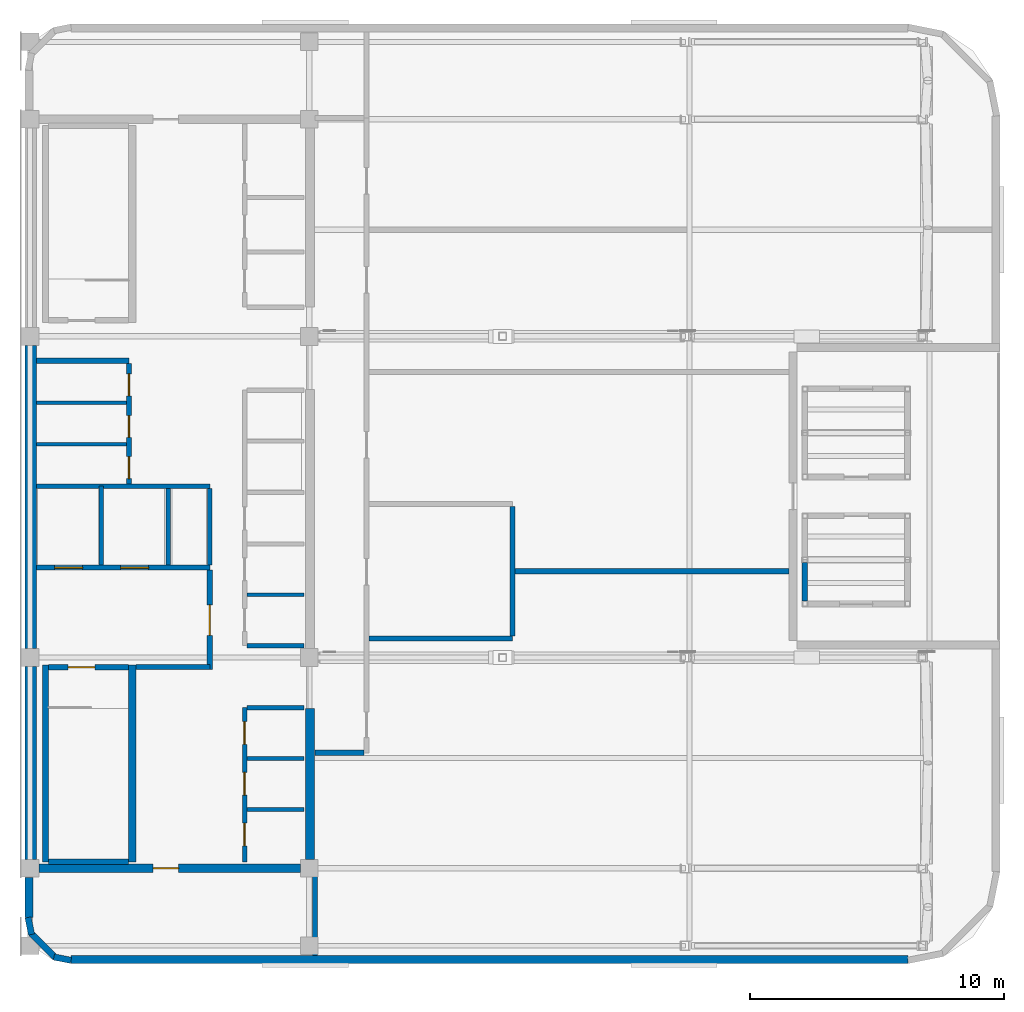
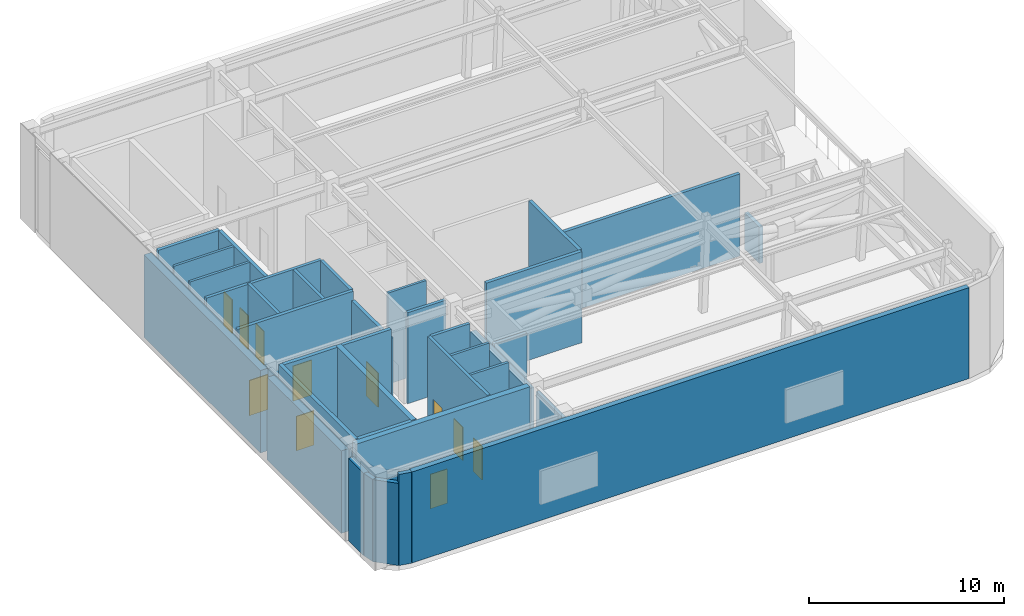
# One storey, part 9 of 12: 36 walls, 11 doors, 11 openings.
"""IFC4 building model written with IfcOpenShell, lengths in metres."""

import ifcopenshell
import ifcopenshell.guid

model = None  # the IFC model being written
_history = None  # IfcOwnerHistory: only IFC2X3 demands one
_inside = {}  # id of a spatial element -> (the spatial element, [elements in it])
_under = {}  # id of a project, library or spatial element -> (it, [spatial elements below it])
_declared = {}  # id of a project -> (the project, [libraries it declares])
_typed = {}  # id of a type object -> (the type object, [elements of that type])
_made_of = {}  # id of a material, layer set ... -> (it, [elements and type objects made of it])


def new_model(schema):
    """Start an empty IFC model of exactly this schema.

    Asked for "IFC4X3", IfcOpenShell would pick the latest addendum, in which some entities
    have other attributes; the version numbers below select the first issue.
    IFC2X3 requires an IfcOwnerHistory on every rooted entity: one is made here for all.
    """
    global model, _history
    if schema == "IFC4X3":
        model = ifcopenshell.file(schema_version=(4, 3, 0, 0))
    else:
        model = ifcopenshell.file(schema=schema)
    _inside.clear()
    _under.clear()
    _declared.clear()
    _typed.clear()
    _made_of.clear()
    _history = None
    if model.schema == "IFC2X3":
        org = make("IfcOrganization", Name="unknown")
        user = make(
            "IfcPersonAndOrganization",
            ThePerson=make("IfcPerson", FamilyName="unknown"),
            TheOrganization=org,
        )
        app = make(
            "IfcApplication",
            ApplicationDeveloper=org,
            Version="unknown",
            ApplicationFullName="unknown",
            ApplicationIdentifier="unknown",
        )
        _history = make(
            "IfcOwnerHistory",
            OwningUser=user,
            OwningApplication=app,
            ChangeAction="ADDED",
            CreationDate=0,
        )
    return model


def make(cls, **values):
    """One entity of the class cls with the attributes given. An attribute that is None is left unset."""
    return model.create_entity(
        cls, **{name: value for name, value in values.items() if value is not None}
    )


def rooted(cls, **values):
    """An entity with a GlobalId (a new one), such as an element, a storey or a relation."""
    return make(cls, GlobalId=ifcopenshell.guid.new(), OwnerHistory=_history, **values)


def si_unit(unit_type, name, prefix=None):
    """IfcSIUnit, for example si_unit("LENGTHUNIT", "METRE", prefix="MILLI")."""
    return make("IfcSIUnit", UnitType=unit_type, Prefix=prefix, Name=name)


def assignment(units):
    """IfcUnitAssignment: the units of a project."""
    return None if units is None else make("IfcUnitAssignment", Units=units)


def point(xyz):
    """IfcCartesianPoint."""
    return None if xyz is None else make("IfcCartesianPoint", Coordinates=xyz)


def direction(xyz):
    """IfcDirection."""
    return None if xyz is None else make("IfcDirection", DirectionRatios=xyz)


def frame(location, z_axis=None, x_axis=None):
    """IfcAxis2Placement3D, a coordinate frame: its origin and axes. An axis left out is left unset."""
    return make(
        "IfcAxis2Placement3D",
        Location=point(location),
        Axis=direction(z_axis),
        RefDirection=direction(x_axis),
    )


def frame_2d(location, x_axis=None):
    """IfcAxis2Placement2D, a coordinate frame in the plane: its origin and x axis."""
    return make(
        "IfcAxis2Placement2D", Location=point(location), RefDirection=direction(x_axis)
    )


def origin():
    """The frame at (0, 0, 0) with its axes left unset."""
    return frame((0.0, 0.0, 0.0))


def place(relative_to, where):
    """IfcLocalPlacement: puts the frame where relative to a parent placement (None: the world)."""
    return make(
        "IfcLocalPlacement", PlacementRelTo=relative_to, RelativePlacement=where
    )


def context(
    kind, dimensions, precision=None, world=None, true_north=None, identifier=None
):
    """IfcGeometricRepresentationContext, for example the 3D "Model" context."""
    return make(
        "IfcGeometricRepresentationContext",
        ContextIdentifier=identifier,
        ContextType=kind,
        CoordinateSpaceDimension=dimensions,
        Precision=precision,
        WorldCoordinateSystem=world,
        TrueNorth=true_north,
    )


def subcontext(parent, identifier, kind, view, scale=None):
    """IfcGeometricRepresentationSubContext, for example "Body" below "Model"."""
    return make(
        "IfcGeometricRepresentationSubContext",
        ContextIdentifier=identifier,
        ContextType=kind,
        ParentContext=parent,
        TargetScale=scale,
        TargetView=view,
    )


def project(units=None, contexts=None):
    """IfcProject with its units and contexts."""
    return rooted(
        "IfcProject",
        Name="project",
        RepresentationContexts=contexts,
        UnitsInContext=assignment(units),
    )


def spatial(cls, under=None, at=None, **own):
    """A site, building, storey or space (cls), placed at a placement, below another one or the project."""
    s = rooted(cls, ObjectPlacement=at, **own)
    if under is not None:
        _under.setdefault(under.id(), (under, []))[1].append(s)
    return s


def profile(cls, at=None, kind="AREA", **sizes):
    """A parametric profile (cls). Its sizes go by their IFC names, for example OverallWidth=200.0."""
    return make(cls, ProfileType=kind, Position=at, **sizes)


def rectangle(**sizes):
    """IfcRectangleProfileDef."""
    return profile("IfcRectangleProfileDef", **sizes)


def extrude(swept, where, along, depth):
    """IfcExtrudedAreaSolid: the profile swept, set in the frame where, extruded along a direction by depth."""
    return make(
        "IfcExtrudedAreaSolid",
        SweptArea=swept,
        Position=where,
        ExtrudedDirection=direction(along),
        Depth=depth,
    )


def shape(context_of_items, identifier, shape_type, items):
    """IfcShapeRepresentation: the items that make up one representation, for example the "Body"."""
    return make(
        "IfcShapeRepresentation",
        ContextOfItems=context_of_items,
        RepresentationIdentifier=identifier,
        RepresentationType=shape_type,
        Items=items,
    )


def material(Name=None, Category=None):
    """IfcMaterial."""
    return make("IfcMaterial", Name=Name, Category=Category)


def layer(
    of_material, thickness, ventilated=None, Name=None, Category=None, Priority=None
):
    """IfcMaterialLayer: one layer of a wall or slab, of a material (None: an air gap)."""
    return make(
        "IfcMaterialLayer",
        Material=of_material,
        LayerThickness=thickness,
        IsVentilated=ventilated,
        Name=Name,
        Category=Category,
        Priority=Priority,
    )


def layer_set(layers, Name=None):
    """IfcMaterialLayerSet."""
    return make("IfcMaterialLayerSet", MaterialLayers=layers, LayerSetName=Name)


def made_of(thing, what):
    """Note that an element or type object is made of a material, layer set ...; save() writes the relation."""
    if what is not None:
        _made_of.setdefault(what.id(), (what, []))[1].append(thing)
    return thing


def type_object(cls, material=None, **own):
    """A type object (cls), such as IfcWallType, which elements share."""
    return made_of(rooted(cls, **own), material)


def element(
    cls,
    number,
    at=None,
    inside=None,
    cuts=None,
    type_object=None,
    material=None,
    context=None,
    identifier="Body",
    shape_type=None,
    held_by="IfcProductDefinitionShape",
    body=None,
    shapes=None,
    **own,
):
    """One element of the class cls, such as IfcWall. Its Tag is "e" and its number.

    at: its placement. inside: the storey or other place that contains it. cuts: it is an
    opening in that element (IfcRelVoidsElement). A single representation is given by context,
    identifier, shape_type and body (its items); several are given by shapes. held_by: the class
    of the entity that holds the representations. save() writes the other relations.
    """
    e = rooted(cls, Tag="e%d" % number, ObjectPlacement=at, **own)
    if body is not None:
        shapes = [shape(context, identifier, shape_type, body)]
    if shapes is not None:
        e.Representation = make(held_by, Representations=shapes)
    if inside is not None:
        _inside.setdefault(inside.id(), (inside, []))[1].append(e)
    if cuts is not None:
        rooted(
            "IfcRelVoidsElement", RelatingBuildingElement=cuts, RelatedOpeningElement=e
        )
    if type_object is not None:
        _typed.setdefault(type_object.id(), (type_object, []))[1].append(e)
    return made_of(e, material)


def fill(opening, filler):
    """IfcRelFillsElement: the door or window that sits in an opening."""
    return rooted(
        "IfcRelFillsElement",
        RelatingOpeningElement=opening,
        RelatedBuildingElement=filler,
    )


def aggregate(whole, parts):
    """IfcRelAggregates: a whole, such as a stair, and the parts it consists of."""
    return rooted("IfcRelAggregates", RelatingObject=whole, RelatedObjects=parts)


def save(model, path):
    """Write the relations noted so far, then the file.

    IfcRelAggregates (storeys below a building ...), IfcRelContainedInSpatialStructure (elements
    in a storey), IfcRelDefinesByType, IfcRelAssociatesMaterial and IfcRelDeclares: one each for
    every whole, place, type object, material and project.
    """
    for whole, parts in _under.values():
        aggregate(whole, parts)
    for where, things in _inside.values():
        rooted(
            "IfcRelContainedInSpatialStructure",
            RelatedElements=things,
            RelatingStructure=where,
        )
    for kind, things in _typed.values():
        rooted("IfcRelDefinesByType", RelatedObjects=things, RelatingType=kind)
    for what, things in _made_of.values():
        rooted("IfcRelAssociatesMaterial", RelatedObjects=things, RelatingMaterial=what)
    for by, libraries in _declared.values():
        rooted("IfcRelDeclares", RelatingContext=by, RelatedDefinitions=libraries)
    model.write(path)


model = new_model("IFC4")

# Units and contexts
model_context = context("Model", 3, precision=1e-05, world=origin(), true_north=direction((0.0, 1.0)))
body_context = subcontext(model_context, "Body", "Model", "MODEL_VIEW")
ifc_project = project(units=[si_unit("LENGTHUNIT", "METRE"), si_unit("AREAUNIT", "SQUARE_METRE"), si_unit("VOLUMEUNIT", "CUBIC_METRE"), si_unit("PLANEANGLEUNIT", "RADIAN"), si_unit("MASSUNIT", "GRAM", prefix="KILO")], contexts=[model_context])

# Site, building, storey
site_placement = place(None, origin())
site = spatial("IfcSite", under=ifc_project, at=site_placement, CompositionType="ELEMENT")
building_placement = place(site_placement, origin())
building = spatial("IfcBuilding", under=site, at=building_placement, Name="Ochreholt Gables", CompositionType="ELEMENT")
storey_placement = place(building_placement, frame((0.0, 0.0, 287.0)))
storey = spatial("IfcBuildingStorey", under=building, at=storey_placement, Name="L75", CompositionType="ELEMENT", Elevation=287.0)

# Wall
ifc_material_1 = material(Name="Concrete 50 MPa", Category="concrete")
ifc_layer_1 = layer(ifc_material_1, 0.35009765625, Name="Concrete 50 MPa")
ifc_layer_set_1 = layer_set([ifc_layer_1], Name="Concrete 50 MPa")
wall_type_1 = type_object("IfcWallType", Name="WALL-CSW-350", PredefinedType="SHEAR", material=ifc_layer_set_1)
wall_1_placement = place(storey_placement, frame((35.22509765625, 9.60009765625, 0.0), z_axis=(0.0, 0.0, 1.0), x_axis=(0.0, 1.0, 0.0)))
element("IfcWall", 1, at=wall_1_placement, inside=storey, type_object=wall_type_1, Name="L75 Core South-East Shear Wall", PredefinedType="SHEAR", context=body_context, shape_type="SweptSolid", body=[
    extrude(rectangle(XDim=5.949951171875, YDim=0.35009765625, at=frame_2d((2.97509765625, 0.0))), origin(), (0.0, 0.0, 1.0), 5.160888671875),
])

# Wall, opening, door
wall_2_placement = place(storey_placement, frame((24.550048828125, 9.25, 0.0), z_axis=(0.0, 0.0, 1.0), x_axis=(1.0, 0.0, 0.0)))
wall_2 = element("IfcWall", 2, at=wall_2_placement, inside=storey, type_object=wall_type_1, Name="L75 Core South Shear Wall", PredefinedType="SHEAR", context=body_context, shape_type="SweptSolid", body=[
    extrude(rectangle(XDim=10.300048828125, YDim=0.35009765625, at=frame_2d((5.14990234375, 0.0))), origin(), (0.0, 0.0, 1.0), 5.699951171875),
])
opening_1_placement = place(wall_2_placement, frame((4.5, 0.0, 0.0)))
opening_1 = element("IfcOpeningElement", 3, at=opening_1_placement, cuts=wall_2, Name="Opening D-SV3", PredefinedType="OPENING", context=body_context, shape_type="SweptSolid", body=[
    extrude(rectangle(XDim=1.0, YDim=2.14990234375, at=frame_2d((0.5, 1.074951171875))), frame((0.0, 0.18505859375, 0.0), z_axis=(0.0, -1.0, 0.0), x_axis=(1.0, 0.0, 0.0)), (0.0, 0.0, 1.0), 0.3701171875),
])
ifc_material_2 = material(Name="Hollow Metal Steel", Category="steel")
door_type_1 = type_object("IfcDoorType", Name="DR-INT-SRV1000", OperationType="NOTDEFINED", PredefinedType="DOOR", material=ifc_material_2)
door_1_placement = place(opening_1_placement, frame((1.0, 0.0, 0.0), z_axis=(0.0, 0.0, 1.0), x_axis=(-1.0, 0.0, 0.0)))
door_1 = element("IfcDoor", 4, at=door_1_placement, inside=storey, type_object=door_type_1, Name="L75 Door D-PLCS-L75", OperationType="SINGLE_SWING_LEFT", OverallHeight=2.14990234375, OverallWidth=1.0, PredefinedType="DOOR", context=body_context, shape_type="SweptSolid", body=[
    extrude(rectangle(XDim=1.0, YDim=2.14990234375, at=frame_2d((0.5, 1.074951171875))), frame((0.0, 0.02490234375, 0.0), z_axis=(0.0, -1.0, 0.0), x_axis=(1.0, 0.0, 0.0)), (0.0, 0.0, 1.0), 0.050048828125),
])
fill(opening_1, door_1)

# Walls
ifc_layer_2 = layer(ifc_material_1, 0.449951171875, Name="Concrete 50 MPa")
ifc_layer_set_2 = layer_set([ifc_layer_2], Name="Concrete 50 MPa")
wall_type_2 = type_object("IfcWallType", Name="WALL-CSW-EXT", PredefinedType="SHEAR", material=ifc_layer_set_2)
wall_3_placement = place(storey_placement, frame((24.22509765625, 9.60009765625, 0.0), z_axis=(0.0, 0.0, 1.0), x_axis=(0.0, 1.0, 0.0)))
element("IfcWall", 5, at=wall_3_placement, inside=storey, type_object=wall_type_2, Name="L75 Core West Shear Wall WS", PredefinedType="SHEAR", context=body_context, shape_type="SweptSolid", body=[
    extrude(rectangle(XDim=7.599853515625, YDim=0.449951171875, at=frame_2d((3.7998046875, 0.0))), origin(), (0.0, 0.0, 1.0), 5.160888671875),
])
wall_4_placement = place(storey_placement, frame((24.22509765625, 17.89990234375, 0.0), z_axis=(0.0, 0.0, 1.0), x_axis=(0.0, 1.0, 0.0)))
element("IfcWall", 6, at=wall_4_placement, inside=storey, type_object=wall_type_2, Name="L75 Core West Shear Wall WM", PredefinedType="SHEAR", context=body_context, shape_type="SweptSolid", body=[
    extrude(rectangle(XDim=11.9501953125, YDim=0.449951171875, at=frame_2d((5.97509765625, 0.0))), origin(), (0.0, 0.0, 1.0), 5.160888671875),
])
ifc_material_3 = material(Name="Precast concrete 40 MPa", Category="concrete")
ifc_layer_3 = layer(ifc_material_3, 0.25, Name="Precast concrete 40 MPa")
ifc_layer_set_3 = layer_set([ifc_layer_3], Name="Precast concrete 40 MPa")
wall_type_3 = type_object("IfcWallType", Name="WALL-EXT-CNR", PredefinedType="SOLIDWALL", material=ifc_layer_set_3)
wall_5_placement = place(storey_placement, frame((24.124267578125, 7.31640625, 0.0), z_axis=(0.0, 0.0, 1.0), x_axis=(0.194952956674, -0.980812594069, 0.0)))
element("IfcWall", 7, at=wall_5_placement, inside=storey, type_object=wall_type_3, Name="L75 Rounded Corner Wall SW-1", PredefinedType="SOLIDWALL", context=body_context, shape_type="SweptSolid", body=[
    extrude(rectangle(XDim=0.686279296875, YDim=0.25, at=frame_2d((0.34326171875, 0.0))), origin(), (0.0, 0.0, 1.0), 5.14306640625),
])
wall_6_placement = place(storey_placement, frame((24.23095703125, 6.69384765625, 0.0), z_axis=(0.0, 0.0, 1.0), x_axis=(0.707106781187, -0.707106781187, 0.0)))
element("IfcWall", 8, at=wall_6_placement, inside=storey, type_object=wall_type_3, Name="L75 Rounded Corner Wall SW-2", PredefinedType="SOLIDWALL", context=body_context, shape_type="SweptSolid", body=[
    extrude(rectangle(XDim=1.36181640625, YDim=0.25, at=frame_2d((0.680908203125, 0.0))), origin(), (0.0, 0.0, 1.0), 5.14306640625),
])
wall_7_placement = place(storey_placement, frame((25.143310546875, 5.758056640625, 0.0), z_axis=(0.0, 0.0, 1.0), x_axis=(0.980812594069, -0.194952956674, 0.0)))
element("IfcWall", 9, at=wall_7_placement, inside=storey, type_object=wall_type_3, Name="L75 Rounded Corner Wall SW-3", PredefinedType="SOLIDWALL", context=body_context, shape_type="SweptSolid", body=[
    extrude(rectangle(XDim=0.686279296875, YDim=0.25, at=frame_2d((0.34326171875, 0.0))), origin(), (0.0, 0.0, 1.0), 5.699951171875),
])
ifc_layer_4 = layer(ifc_material_3, 0.22998046875, Name="Precast concrete 40 MPa")
ifc_layer_set_4 = layer_set([ifc_layer_4], Name="Precast concrete 40 MPa")
wall_type_4 = type_object("IfcWallType", Name="WALL-EXT-GAB", PredefinedType="SOLIDWALL", material=ifc_layer_set_4)
wall_8_placement = place(storey_placement, frame((54.715087890625, 19.77197265625, 0.0), z_axis=(0.0, 0.0, 1.0), x_axis=(0.0, 1.0, 0.0)))
element("IfcWall", 10, at=wall_8_placement, inside=storey, type_object=wall_type_4, Name="L75 Gable End Wall GB-75C1-W1", PredefinedType="SOLIDWALL", context=body_context, shape_type="SweptSolid", body=[
    extrude(rectangle(XDim=1.526123046875, YDim=0.22998046875, at=frame_2d((0.76318359375, 0.0))), origin(), (0.0, 0.0, 1.0), 2.264404296875),
])
ifc_material_4 = material(Name="Precast concrete 50 MPa", Category="concrete")
ifc_layer_5 = layer(ifc_material_4, 0.31005859375, Name="Precast concrete 50 MPa")
ifc_layer_set_5 = layer_set([ifc_layer_5], Name="Precast concrete 50 MPa")
wall_type_5 = type_object("IfcWallType", Name="WALL-EXT-PLT", PredefinedType="SOLIDWALL", material=ifc_layer_set_5)
wall_9_placement = place(storey_placement, frame((25.820068359375, 5.655029296875, 0.0), z_axis=(0.0, 0.0, 1.0), x_axis=(1.0, 0.0, 0.0)))
element("IfcWall", 11, at=wall_9_placement, inside=storey, type_object=wall_type_5, Name="L75 South Plant Facade Wall", PredefinedType="SOLIDWALL", context=body_context, shape_type="SweptSolid", body=[
    extrude(rectangle(XDim=32.9599609375, YDim=0.31005859375, at=frame_2d((16.47998046875, 0.0))), origin(), (0.0, 0.0, 1.0), 5.699951171875),
])
wall_10_placement = place(storey_placement, frame((24.155029296875, 7.320068359375, 0.0), z_axis=(0.0, 0.0, 1.0), x_axis=(0.0, 1.0, 0.0)))
element("IfcWall", 12, at=wall_10_placement, inside=storey, type_object=wall_type_5, Name="L75 West Facade South Bay Wall", PredefinedType="SOLIDWALL", context=body_context, shape_type="SweptSolid", body=[
    extrude(rectangle(XDim=1.559814453125, YDim=0.31005859375, at=frame_2d((0.77978515625, 0.0))), origin(), (0.0, 0.0, 1.0), 5.14306640625),
])

# Wall, openings, doors
ifc_material_5 = material(Name="Concrete 40 MPa", Category="concrete")
ifc_layer_6 = layer(ifc_material_5, 0.199951171875, Name="Concrete 40 MPa")
ifc_layer_set_6 = layer_set([ifc_layer_6], Name="Concrete 40 MPa")
wall_type_6 = type_object("IfcWallType", Name="WALL-INT-CF200", PredefinedType="STANDARD", material=ifc_layer_set_6)
wall_11_placement = place(storey_placement, frame((24.449951171875, 21.090087890625, 0.0), z_axis=(0.0, 0.0, 1.0), x_axis=(1.0, 0.0, 0.0)))
wall_11 = element("IfcWall", 13, at=wall_11_placement, inside=storey, type_object=wall_type_6, Name="L75 Interior Wall WI-FFN-L75", PredefinedType="STANDARD", context=body_context, shape_type="SweptSolid", body=[
    extrude(rectangle(XDim=6.830078125, YDim=0.199951171875, at=frame_2d((3.4150390625, 0.0))), origin(), (0.0, 0.0, 1.0), 5.699951171875),
])
opening_2_placement = place(wall_11_placement, frame((0.719970703125, 0.0, 0.0)))
opening_2 = element("IfcOpeningElement", 14, at=opening_2_placement, cuts=wall_11, Name="Opening LD-FF", PredefinedType="OPENING", context=body_context, shape_type="SweptSolid", body=[
    extrude(rectangle(XDim=1.10009765625, YDim=2.199951171875, at=frame_2d((0.550048828125, 1.10009765625))), frame((0.0, 0.10986328125, 0.0), z_axis=(0.0, -1.0, 0.0), x_axis=(1.0, 0.0, 0.0)), (0.0, 0.0, 1.0), 0.219970703125),
])
opening_3_placement = place(wall_11_placement, frame((3.320068359375, 0.0, 0.0)))
opening_3 = element("IfcOpeningElement", 15, at=opening_3_placement, cuts=wall_11, Name="Opening LD-FF", PredefinedType="OPENING", context=body_context, shape_type="SweptSolid", body=[
    extrude(rectangle(XDim=1.10009765625, YDim=2.199951171875, at=frame_2d((0.550048828125, 1.10009765625))), frame((0.0, 0.10986328125, 0.0), z_axis=(0.0, -1.0, 0.0), x_axis=(1.0, 0.0, 0.0)), (0.0, 0.0, 1.0), 0.219970703125),
])
ifc_material_6 = material(Name="Stainless Steel", Category="steel")
door_type_2 = type_object("IfcDoorType", Name="DR-LFT-FF1100", OperationType="NOTDEFINED", PredefinedType="DOOR", material=ifc_material_6)
door_2_placement = place(opening_2_placement, origin())
door_2 = element("IfcDoor", 16, at=door_2_placement, inside=storey, type_object=door_type_2, Name="L75 Door LD-FF1-L75", OperationType="SLIDING_TO_LEFT", OverallHeight=2.199951171875, OverallWidth=1.10009765625, PredefinedType="DOOR", context=body_context, shape_type="SweptSolid", body=[
    extrude(rectangle(XDim=1.10009765625, YDim=2.199951171875, at=frame_2d((0.550048828125, 1.10009765625))), frame((0.0, 0.02490234375, 0.0), z_axis=(0.0, -1.0, 0.0), x_axis=(1.0, 0.0, 0.0)), (0.0, 0.0, 1.0), 0.050048828125),
])
fill(opening_2, door_2)
door_3_placement = place(opening_3_placement, origin())
door_3 = element("IfcDoor", 17, at=door_3_placement, inside=storey, type_object=door_type_2, Name="L75 Door LD-FF2-L75", OperationType="SLIDING_TO_LEFT", OverallHeight=2.199951171875, OverallWidth=1.10009765625, PredefinedType="DOOR", context=body_context, shape_type="SweptSolid", body=[
    extrude(rectangle(XDim=1.10009765625, YDim=2.199951171875, at=frame_2d((0.550048828125, 1.10009765625))), frame((0.0, 0.02490234375, 0.0), z_axis=(0.0, -1.0, 0.0), x_axis=(1.0, 0.0, 0.0)), (0.0, 0.0, 1.0), 0.050048828125),
])
fill(opening_3, door_3)

# Wall
wall_12_placement = place(storey_placement, frame((28.3798828125, 17.169921875, 0.0), z_axis=(0.0, 0.0, 1.0), x_axis=(1.0, 0.0, 0.0)))
element("IfcWall", 18, at=wall_12_placement, inside=storey, type_object=wall_type_6, Name="L75 Interior Wall WI-FFS-L75", PredefinedType="STANDARD", context=body_context, shape_type="SweptSolid", body=[
    extrude(rectangle(XDim=2.900146484375, YDim=0.199951171875, at=frame_2d((1.4501953125, 0.0))), origin(), (0.0, 0.0, 1.0), 5.699951171875),
])

# Wall, opening, door
wall_13_placement = place(storey_placement, frame((31.280029296875, 17.070068359375, 0.0), z_axis=(0.0, 0.0, 1.0), x_axis=(0.0, 1.0, 0.0)))
wall_13 = element("IfcWall", 19, at=wall_13_placement, inside=storey, type_object=wall_type_6, Name="L75 Interior Wall WI-FFE-L75", PredefinedType="STANDARD", context=body_context, shape_type="SweptSolid", body=[
    extrude(rectangle(XDim=3.919921875, YDim=0.199951171875, at=frame_2d((1.9599609375, 0.0))), origin(), (0.0, 0.0, 1.0), 5.14306640625),
])
opening_4_placement = place(wall_13_placement, frame((1.35009765625, 0.0, 0.0)))
opening_4 = element("IfcOpeningElement", 20, at=opening_4_placement, cuts=wall_13, Name="Opening D-FFL", PredefinedType="OPENING", context=body_context, shape_type="SweptSolid", body=[
    extrude(rectangle(XDim=1.199951171875, YDim=2.14990234375, at=frame_2d((0.60009765625, 1.074951171875))), frame((0.0, 0.10986328125, 0.0), z_axis=(0.0, -1.0, 0.0), x_axis=(1.0, 0.0, 0.0)), (0.0, 0.0, 1.0), 0.219970703125),
])
door_type_3 = type_object("IfcDoorType", Name="DR-INT-FFL1200", OperationType="NOTDEFINED", PredefinedType="DOOR", material=ifc_material_2)
door_4_placement = place(opening_4_placement, origin())
door_4 = element("IfcDoor", 21, at=door_4_placement, inside=storey, type_object=door_type_3, Name="L75 Door D-FFL-L75", OperationType="SINGLE_SWING_LEFT", OverallHeight=2.14990234375, OverallWidth=1.199951171875, PredefinedType="DOOR", context=body_context, shape_type="SweptSolid", body=[
    extrude(rectangle(XDim=1.199951171875, YDim=2.14990234375, at=frame_2d((0.60009765625, 1.074951171875))), frame((0.0, 0.02490234375, 0.0), z_axis=(0.0, -1.0, 0.0), x_axis=(1.0, 0.0, 0.0)), (0.0, 0.0, 1.0), 0.050048828125),
])
fill(opening_4, door_4)

# Wall
wall_14_placement = place(storey_placement, frame((24.449951171875, 29.239990234375, 0.0), z_axis=(0.0, 0.0, 1.0), x_axis=(1.0, 0.0, 0.0)))
element("IfcWall", 22, at=wall_14_placement, inside=storey, type_object=wall_type_6, Name="L75 Interior Wall WI-SRVN-L75", PredefinedType="STANDARD", context=body_context, shape_type="SweptSolid", body=[
    extrude(rectangle(XDim=3.650146484375, YDim=0.199951171875, at=frame_2d((1.8251953125, 0.0))), origin(), (0.0, 0.0, 1.0), 5.699951171875),
])

# Wall, openings, doors
wall_15_placement = place(storey_placement, frame((28.10009765625, 24.389892578125, 0.0), z_axis=(0.0, 0.0, 1.0), x_axis=(0.0, 1.0, 0.0)))
wall_15 = element("IfcWall", 23, at=wall_15_placement, inside=storey, type_object=wall_type_6, Name="L75 Interior Wall WI-SRVE-L75", PredefinedType="STANDARD", context=body_context, shape_type="SweptSolid", body=[
    extrude(rectangle(XDim=4.75, YDim=0.199951171875, at=frame_2d((2.375, 0.0))), origin(), (0.0, 0.0, 1.0), 5.699951171875),
])
opening_5_placement = place(wall_15_placement, frame((0.2099609375, 0.0, 0.0)))
opening_5 = element("IfcOpeningElement", 24, at=opening_5_placement, cuts=wall_15, Name="Opening D-SV2", PredefinedType="OPENING", context=body_context, shape_type="SweptSolid", body=[
    extrude(rectangle(XDim=0.860107421875, YDim=2.10009765625, at=frame_2d((0.43017578125, 1.050048828125))), frame((0.0, 0.10986328125, 0.0), z_axis=(0.0, -1.0, 0.0), x_axis=(1.0, 0.0, 0.0)), (0.0, 0.0, 1.0), 0.219970703125),
])
opening_6_placement = place(wall_15_placement, frame((1.830078125, 0.0, 0.0)))
opening_6 = element("IfcOpeningElement", 25, at=opening_6_placement, cuts=wall_15, Name="Opening D-SV2", PredefinedType="OPENING", context=body_context, shape_type="SweptSolid", body=[
    extrude(rectangle(XDim=0.860107421875, YDim=2.10009765625, at=frame_2d((0.43017578125, 1.050048828125))), frame((0.0, 0.10986328125, 0.0), z_axis=(0.0, -1.0, 0.0), x_axis=(1.0, 0.0, 0.0)), (0.0, 0.0, 1.0), 0.219970703125),
])
opening_7_placement = place(wall_15_placement, frame((3.469970703125, 0.0, 0.0)))
opening_7 = element("IfcOpeningElement", 26, at=opening_7_placement, cuts=wall_15, Name="Opening D-SV2", PredefinedType="OPENING", context=body_context, shape_type="SweptSolid", body=[
    extrude(rectangle(XDim=0.860107421875, YDim=2.10009765625, at=frame_2d((0.43017578125, 1.050048828125))), frame((0.0, 0.10986328125, 0.0), z_axis=(0.0, -1.0, 0.0), x_axis=(1.0, 0.0, 0.0)), (0.0, 0.0, 1.0), 0.219970703125),
])
door_type_4 = type_object("IfcDoorType", Name="DR-INT-SRV860", OperationType="NOTDEFINED", PredefinedType="DOOR", material=ifc_material_2)
door_5_placement = place(opening_5_placement, origin())
door_5 = element("IfcDoor", 27, at=door_5_placement, inside=storey, type_object=door_type_4, Name="L75 Door D-SRV1-L75", OperationType="SINGLE_SWING_LEFT", OverallHeight=2.10009765625, OverallWidth=0.860107421875, PredefinedType="DOOR", context=body_context, shape_type="SweptSolid", body=[
    extrude(rectangle(XDim=0.860107421875, YDim=2.10009765625, at=frame_2d((0.43017578125, 1.050048828125))), frame((0.0, 0.02490234375, 0.0), z_axis=(0.0, -1.0, 0.0), x_axis=(1.0, 0.0, 0.0)), (0.0, 0.0, 1.0), 0.050048828125),
])
fill(opening_5, door_5)
door_6_placement = place(opening_6_placement, origin())
door_6 = element("IfcDoor", 28, at=door_6_placement, inside=storey, type_object=door_type_4, Name="L75 Door D-SRV2-L75", OperationType="SINGLE_SWING_RIGHT", OverallHeight=2.10009765625, OverallWidth=0.860107421875, PredefinedType="DOOR", context=body_context, shape_type="SweptSolid", body=[
    extrude(rectangle(XDim=0.860107421875, YDim=2.10009765625, at=frame_2d((0.43017578125, 1.050048828125))), frame((0.0, 0.02490234375, 0.0), z_axis=(0.0, -1.0, 0.0), x_axis=(1.0, 0.0, 0.0)), (0.0, 0.0, 1.0), 0.050048828125),
])
fill(opening_6, door_6)
door_7_placement = place(opening_7_placement, origin())
door_7 = element("IfcDoor", 29, at=door_7_placement, inside=storey, type_object=door_type_4, Name="L75 Door D-SRV3-L75", OperationType="SINGLE_SWING_LEFT", OverallHeight=2.10009765625, OverallWidth=0.860107421875, PredefinedType="DOOR", context=body_context, shape_type="SweptSolid", body=[
    extrude(rectangle(XDim=0.860107421875, YDim=2.10009765625, at=frame_2d((0.43017578125, 1.050048828125))), frame((0.0, 0.02490234375, 0.0), z_axis=(0.0, -1.0, 0.0), x_axis=(1.0, 0.0, 0.0)), (0.0, 0.0, 1.0), 0.050048828125),
])
fill(opening_7, door_7)

# Walls
wall_16_placement = place(storey_placement, frame((35.419921875, 13.800048828125, 0.0), z_axis=(0.0, 0.0, 1.0), x_axis=(1.0, 0.0, 0.0)))
element("IfcWall", 30, at=wall_16_placement, inside=storey, type_object=wall_type_6, Name="L75 Interior Wall WI-PLCS1-L75", PredefinedType="STANDARD", context=body_context, shape_type="SweptSolid", body=[
    extrude(rectangle(XDim=1.93017578125, YDim=0.199951171875, at=frame_2d((0.965087890625, 0.0))), origin(), (0.0, 0.0, 1.0), 5.37890625),
])
wall_17_placement = place(storey_placement, frame((37.550048828125, 18.300048828125, 0.0), z_axis=(0.0, 0.0, 1.0), x_axis=(1.0, 0.0, 0.0)))
element("IfcWall", 31, at=wall_17_placement, inside=storey, type_object=wall_type_6, Name="L75 Interior Wall WI-PLRFS-L75", PredefinedType="STANDARD", context=body_context, shape_type="SweptSolid", body=[
    extrude(rectangle(XDim=5.64990234375, YDim=0.199951171875, at=frame_2d((2.824951171875, 0.0))), origin(), (0.0, 0.0, 1.0), 5.699951171875),
])
wall_18_placement = place(storey_placement, frame((43.199951171875, 18.39990234375, 0.0), z_axis=(0.0, 0.0, 1.0), x_axis=(0.0, 1.0, 0.0)))
element("IfcWall", 32, at=wall_18_placement, inside=storey, type_object=wall_type_6, Name="L75 Interior Wall WI-PLRFE-L75", PredefinedType="STANDARD", context=body_context, shape_type="SweptSolid", body=[
    extrude(rectangle(XDim=5.10009765625, YDim=0.199951171875, at=frame_2d((2.550048828125, 0.0))), origin(), (0.0, 0.0, 1.0), 5.699951171875),
])
wall_19_placement = place(storey_placement, frame((43.300048828125, 20.949951171875, 0.0), z_axis=(0.0, 0.0, 1.0), x_axis=(1.0, 0.0, 0.0)))
element("IfcWall", 33, at=wall_19_placement, inside=storey, type_object=wall_type_6, Name="L75 Interior Wall WI-PLE0-L75", PredefinedType="STANDARD", context=body_context, shape_type="SweptSolid", body=[
    extrude(rectangle(XDim=10.7900390625, YDim=0.199951171875, at=frame_2d((5.39501953125, 0.0))), origin(), (0.0, 0.0, 1.0), 5.14306640625),
])
wall_20_placement = place(storey_placement, frame((35.419921875, 5.81005859375, 0.0), z_axis=(0.0, 0.0, 1.0), x_axis=(0.0, 1.0, 0.0)))
element("IfcWall", 34, at=wall_20_placement, inside=storey, type_object=wall_type_6, Name="L75 Interior Wall WI-PLCE75S-L75", PredefinedType="STANDARD", context=body_context, shape_type="SweptSolid", body=[
    extrude(rectangle(XDim=3.43994140625, YDim=0.199951171875, at=frame_2d((1.719970703125, 0.0))), origin(), (0.0, 0.0, 1.0), 5.14306640625),
])
ifc_material_7 = material(Name="Lightweight Stud Partition", Category="gypsum")
ifc_layer_7 = layer(ifc_material_7, 0.14501953125, Name="Lightweight Stud Partition")
ifc_layer_set_7 = layer_set([ifc_layer_7], Name="Lightweight Stud Partition")
wall_type_7 = type_object("IfcWallType", Name="WALL-INT-PT145", PredefinedType="PARTITIONING", material=ifc_layer_set_7)
for number, where, z_axis, x_axis, name in (
    (35, (24.449951171875, 25.949951171875, 0.0), (0.0, 0.0, 1.0), (1.0, 0.0, 0.0), "L75 Interior Wall WI-SRVP1-L75"),
    (36, (24.449951171875, 27.580078125, 0.0), (0.0, 0.0, 1.0), (1.0, 0.0, 0.0), "L75 Interior Wall WI-SRVP2-L75"),
):
    element("IfcWall", number, at=place(storey_placement, frame(where, z_axis=z_axis, x_axis=x_axis)), inside=storey, type_object=wall_type_7, Name=name, PredefinedType="PARTITIONING", context=body_context, shape_type="SweptSolid", body=[
        extrude(rectangle(XDim=3.550048828125, YDim=0.14501953125, at=frame_2d((1.77490234375, 0.0))), origin(), (0.0, 0.0, 1.0), 5.699951171875),
    ])
ifc_material_8 = material(Name="Gypsum Shaftliner and Steel Stud", Category="steel")
ifc_layer_8 = layer(ifc_material_8, 0.14990234375, Name="Gypsum Shaftliner and Steel Stud")
ifc_layer_set_8 = layer_set([ifc_layer_8], Name="Gypsum Shaftliner and Steel Stud")
wall_type_8 = type_object("IfcWallType", Name="WALL-INT-SH150", PredefinedType="STANDARD", material=ifc_layer_set_8)
for number, where, z_axis, x_axis, name in (
    (37, (32.739990234375, 11.570068359375, 0.0), (0.0, 0.0, 1.0), (1.0, 0.0, 0.0), "L75 Interior Wall WI-LFL-D1-L75"),
    (38, (32.739990234375, 13.570068359375, 0.0), (0.0, 0.0, 1.0), (1.0, 0.0, 0.0), "L75 Interior Wall WI-LFL-D2-L75"),
    (39, (32.739990234375, 20.02001953125, 0.0), (0.0, 0.0, 1.0), (1.0, 0.0, 0.0), "L75 Interior Wall WI-LFHE-DH1-L75"),
):
    element("IfcWall", number, at=place(storey_placement, frame(where, z_axis=z_axis, x_axis=x_axis)), inside=storey, type_object=wall_type_8, Name=name, PredefinedType="STANDARD", context=body_context, shape_type="SweptSolid", body=[
        extrude(rectangle(XDim=2.260009765625, YDim=0.14990234375, at=frame_2d((1.1298828125, 0.0))), origin(), (0.0, 0.0, 1.0), 5.699951171875),
    ])
ifc_layer_9 = layer(ifc_material_8, 0.179931640625, Name="Gypsum Shaftliner and Steel Stud")
ifc_layer_set_9 = layer_set([ifc_layer_9], Name="Gypsum Shaftliner and Steel Stud")
wall_type_9 = type_object("IfcWallType", Name="WALL-INT-SH180", PredefinedType="STANDARD", material=ifc_layer_set_9)
wall_21_placement = place(storey_placement, frame((27.0, 21.18994140625, 0.0), z_axis=(0.0, 0.0, 1.0), x_axis=(0.0, 1.0, 0.0)))
element("IfcWall", 40, at=wall_21_placement, inside=storey, type_object=wall_type_9, Name="L75 Interior Wall WI-FFDIV-L75", PredefinedType="STANDARD", context=body_context, shape_type="SweptSolid", body=[
    extrude(rectangle(XDim=3.110107421875, YDim=0.179931640625, at=frame_2d((1.55517578125, 0.0))), origin(), (0.0, 0.0, 1.0), 5.699951171875),
])
wall_22_placement = place(storey_placement, frame((24.449951171875, 24.300048828125, 0.0), z_axis=(0.0, 0.0, 1.0), x_axis=(1.0, 0.0, 0.0)))
element("IfcWall", 41, at=wall_22_placement, inside=storey, type_object=wall_type_9, Name="L75 Interior Wall WI-FFBK-L75", PredefinedType="STANDARD", context=body_context, shape_type="SweptSolid", body=[
    extrude(rectangle(XDim=6.830078125, YDim=0.179931640625, at=frame_2d((3.4150390625, 0.0))), origin(), (0.0, 0.0, 1.0), 5.699951171875),
])
for number, where, z_axis, x_axis, name in (
    (42, (29.64990234375, 21.18994140625, 0.0), (0.0, 0.0, 1.0), (0.0, 1.0, 0.0), "L75 Interior Wall WI-FFSH-L75"),
    (43, (31.280029296875, 21.18994140625, 0.0), (0.0, 0.0, 1.0), (0.0, 1.0, 0.0), "L75 Interior Wall WI-RSE-L75"),
):
    element("IfcWall", number, at=place(storey_placement, frame(where, z_axis=z_axis, x_axis=x_axis)), inside=storey, type_object=wall_type_9, Name=name, PredefinedType="STANDARD", context=body_context, shape_type="SweptSolid", body=[
        extrude(rectangle(XDim=3.02001953125, YDim=0.179931640625, at=frame_2d((1.510009765625, 0.0))), origin(), (0.0, 0.0, 1.0), 5.699951171875),
    ])

# Wall, openings, doors
wall_23_placement = place(storey_placement, frame((32.64990234375, 9.5, 0.0), z_axis=(0.0, 0.0, 1.0), x_axis=(0.0, 1.0, 0.0)))
wall_23 = element("IfcWall", 44, at=wall_23_placement, inside=storey, type_object=wall_type_9, Name="L75 Interior Wall WI-LFL-FR-L75", PredefinedType="STANDARD", context=body_context, shape_type="SweptSolid", body=[
    extrude(rectangle(XDim=6.080078125, YDim=0.179931640625, at=frame_2d((3.0400390625, 0.0))), origin(), (0.0, 0.0, 1.0), 5.699951171875),
])
opening_8_placement = place(wall_23_placement, frame((0.6298828125, 0.0, 0.0)))
opening_8 = element("IfcOpeningElement", 45, at=opening_8_placement, cuts=wall_23, Name="Opening D-SV1", PredefinedType="OPENING", context=body_context, shape_type="SweptSolid", body=[
    extrude(rectangle(XDim=0.89990234375, YDim=2.10009765625, at=frame_2d((0.449951171875, 1.050048828125))), frame((0.0, 0.099853515625, 0.0), z_axis=(0.0, -1.0, 0.0), x_axis=(1.0, 0.0, 0.0)), (0.0, 0.0, 1.0), 0.199951171875),
])
opening_9_placement = place(wall_23_placement, frame((2.6298828125, 0.0, 0.0)))
opening_9 = element("IfcOpeningElement", 46, at=opening_9_placement, cuts=wall_23, Name="Opening D-SV1", PredefinedType="OPENING", context=body_context, shape_type="SweptSolid", body=[
    extrude(rectangle(XDim=0.89990234375, YDim=2.10009765625, at=frame_2d((0.449951171875, 1.050048828125))), frame((0.0, 0.099853515625, 0.0), z_axis=(0.0, -1.0, 0.0), x_axis=(1.0, 0.0, 0.0)), (0.0, 0.0, 1.0), 0.199951171875),
])
opening_10_placement = place(wall_23_placement, frame((4.6298828125, 0.0, 0.0)))
opening_10 = element("IfcOpeningElement", 47, at=opening_10_placement, cuts=wall_23, Name="Opening D-SV1", PredefinedType="OPENING", context=body_context, shape_type="SweptSolid", body=[
    extrude(rectangle(XDim=0.89990234375, YDim=2.10009765625, at=frame_2d((0.449951171875, 1.050048828125))), frame((0.0, 0.099853515625, 0.0), z_axis=(0.0, -1.0, 0.0), x_axis=(1.0, 0.0, 0.0)), (0.0, 0.0, 1.0), 0.199951171875),
])
door_type_5 = type_object("IfcDoorType", Name="DR-INT-SRV900", OperationType="NOTDEFINED", PredefinedType="DOOR", material=ifc_material_2)
door_8_placement = place(opening_8_placement, origin())
door_8 = element("IfcDoor", 48, at=door_8_placement, inside=storey, type_object=door_type_5, Name="L75 Door D-LCST1-L75", OperationType="SINGLE_SWING_LEFT", OverallHeight=2.10009765625, OverallWidth=0.89990234375, PredefinedType="DOOR", context=body_context, shape_type="SweptSolid", body=[
    extrude(rectangle(XDim=0.89990234375, YDim=2.10009765625, at=frame_2d((0.449951171875, 1.050048828125))), frame((0.0, 0.02490234375, 0.0), z_axis=(0.0, -1.0, 0.0), x_axis=(1.0, 0.0, 0.0)), (0.0, 0.0, 1.0), 0.050048828125),
])
fill(opening_8, door_8)
door_9_placement = place(opening_9_placement, origin())
door_9 = element("IfcDoor", 49, at=door_9_placement, inside=storey, type_object=door_type_5, Name="L75 Door D-LCST2-L75", OperationType="SINGLE_SWING_LEFT", OverallHeight=2.10009765625, OverallWidth=0.89990234375, PredefinedType="DOOR", context=body_context, shape_type="SweptSolid", body=[
    extrude(rectangle(XDim=0.89990234375, YDim=2.10009765625, at=frame_2d((0.449951171875, 1.050048828125))), frame((0.0, 0.02490234375, 0.0), z_axis=(0.0, -1.0, 0.0), x_axis=(1.0, 0.0, 0.0)), (0.0, 0.0, 1.0), 0.050048828125),
])
fill(opening_9, door_9)
door_10_placement = place(opening_10_placement, origin())
door_10 = element("IfcDoor", 50, at=door_10_placement, inside=storey, type_object=door_type_5, Name="L75 Door D-LCST3-L75", OperationType="SINGLE_SWING_LEFT", OverallHeight=2.10009765625, OverallWidth=0.89990234375, PredefinedType="DOOR", context=body_context, shape_type="SweptSolid", body=[
    extrude(rectangle(XDim=0.89990234375, YDim=2.10009765625, at=frame_2d((0.449951171875, 1.050048828125))), frame((0.0, 0.02490234375, 0.0), z_axis=(0.0, -1.0, 0.0), x_axis=(1.0, 0.0, 0.0)), (0.0, 0.0, 1.0), 0.050048828125),
])
fill(opening_10, door_10)

# Walls
for number, where, z_axis, x_axis, name in (
    (51, (32.739990234375, 15.580078125, 0.0), (0.0, 0.0, 1.0), (1.0, 0.0, 0.0), "L75 Interior Wall WI-LFL-N-L75"),
    (52, (32.739990234375, 18.02001953125, 0.0), (0.0, 0.0, 1.0), (1.0, 0.0, 0.0), "L75 Interior Wall WI-LFHE-S-L75"),
):
    element("IfcWall", number, at=place(storey_placement, frame(where, z_axis=z_axis, x_axis=x_axis)), inside=storey, type_object=wall_type_9, Name=name, PredefinedType="STANDARD", context=body_context, shape_type="SweptSolid", body=[
        extrude(rectangle(XDim=2.260009765625, YDim=0.179931640625, at=frame_2d((1.1298828125, 0.0))), origin(), (0.0, 0.0, 1.0), 5.699951171875),
    ])
ifc_material_9 = material(Name="Concrete 60 MPa", Category="concrete")
ifc_layer_10 = layer(ifc_material_9, 0.300048828125, Name="Concrete 60 MPa")
ifc_layer_set_10 = layer_set([ifc_layer_10], Name="Concrete 60 MPa")
wall_type_10 = type_object("IfcWallType", Name="WALL-SPN-300", PredefinedType="SHEAR", material=ifc_layer_set_10)
wall_24_placement = place(storey_placement, frame((28.22998046875, 9.5, 0.0), z_axis=(0.0, 0.0, 1.0), x_axis=(0.0, 1.0, 0.0)))
element("IfcWall", 53, at=wall_24_placement, inside=storey, type_object=wall_type_10, Name="L75 Core South Spine Shear Wall", PredefinedType="SHEAR", context=body_context, shape_type="SweptSolid", body=[
    extrude(rectangle(XDim=7.760009765625, YDim=0.300048828125, at=frame_2d((3.8798828125, 0.0))), origin(), (0.0, 0.0, 1.0), 5.699951171875),
])
ifc_layer_11 = layer(ifc_material_1, 0.219970703125, Name="Concrete 50 MPa")
ifc_layer_set_11 = layer_set([ifc_layer_11], Name="Concrete 50 MPa")
wall_type_11 = type_object("IfcWallType", Name="WALL-STW-220", PredefinedType="SHEAR", material=ifc_layer_set_11)
wall_25_placement = place(storey_placement, frame((24.81005859375, 9.5, 0.0), z_axis=(0.0, 0.0, 1.0), x_axis=(0.0, 1.0, 0.0)))
element("IfcWall", 54, at=wall_25_placement, inside=storey, type_object=wall_type_11, Name="L75 Exit Stair 1 West Wall", PredefinedType="SHEAR", context=body_context, shape_type="SweptSolid", body=[
    extrude(rectangle(XDim=7.760009765625, YDim=0.219970703125, at=frame_2d((3.8798828125, 0.0))), origin(), (0.0, 0.0, 1.0), 5.699951171875),
])
wall_26_placement = place(storey_placement, frame((24.919921875, 9.510009765625, 0.0), z_axis=(0.0, 0.0, 1.0), x_axis=(1.0, 0.0, 0.0)))
element("IfcWall", 55, at=wall_26_placement, inside=storey, type_object=wall_type_11, Name="L75 Exit Stair 1 South Wall", PredefinedType="SHEAR", context=body_context, shape_type="SweptSolid", body=[
    extrude(rectangle(XDim=3.16015625, YDim=0.219970703125, at=frame_2d((1.580078125, 0.0))), origin(), (0.0, 0.0, 1.0), 5.699951171875),
])

# Wall, opening, door
wall_27_placement = place(storey_placement, frame((24.919921875, 17.169921875, 0.0), z_axis=(0.0, 0.0, 1.0), x_axis=(1.0, 0.0, 0.0)))
wall_27 = element("IfcWall", 56, at=wall_27_placement, inside=storey, type_object=wall_type_11, Name="L75 Exit Stair 1 North Wall", PredefinedType="SHEAR", context=body_context, shape_type="SweptSolid", body=[
    extrude(rectangle(XDim=3.16015625, YDim=0.219970703125, at=frame_2d((1.580078125, 0.0))), origin(), (0.0, 0.0, 1.0), 5.699951171875),
])
opening_11_placement = place(wall_27_placement, frame((0.780029296875, 0.0, 0.0)))
opening_11 = element("IfcOpeningElement", 57, at=opening_11_placement, cuts=wall_27, Name="Opening D-STC", PredefinedType="OPENING", context=body_context, shape_type="SweptSolid", body=[
    extrude(rectangle(XDim=1.050048828125, YDim=2.14990234375, at=frame_2d((0.52490234375, 1.074951171875))), frame((0.0, 0.119873046875, 0.0), z_axis=(0.0, -1.0, 0.0), x_axis=(1.0, 0.0, 0.0)), (0.0, 0.0, 1.0), 0.239990234375),
])
door_type_6 = type_object("IfcDoorType", Name="DR-INT-ST1050", OperationType="NOTDEFINED", PredefinedType="DOOR", material=ifc_material_2)
door_11_placement = place(opening_11_placement, frame((1.050048828125, 0.0, 0.0), z_axis=(0.0, 0.0, 1.0), x_axis=(-1.0, 0.0, 0.0)))
door_11 = element("IfcDoor", 58, at=door_11_placement, inside=storey, type_object=door_type_6, Name="L75 Door D-ST1-L75", OperationType="SINGLE_SWING_LEFT", OverallHeight=2.14990234375, OverallWidth=1.050048828125, PredefinedType="DOOR", context=body_context, shape_type="SweptSolid", body=[
    extrude(rectangle(XDim=1.050048828125, YDim=2.14990234375, at=frame_2d((0.52490234375, 1.074951171875))), frame((0.0, 0.02490234375, 0.0), z_axis=(0.0, -1.0, 0.0), x_axis=(1.0, 0.0, 0.0)), (0.0, 0.0, 1.0), 0.050048828125),
])
fill(opening_11, door_11)

save(model, "model.ifc")
